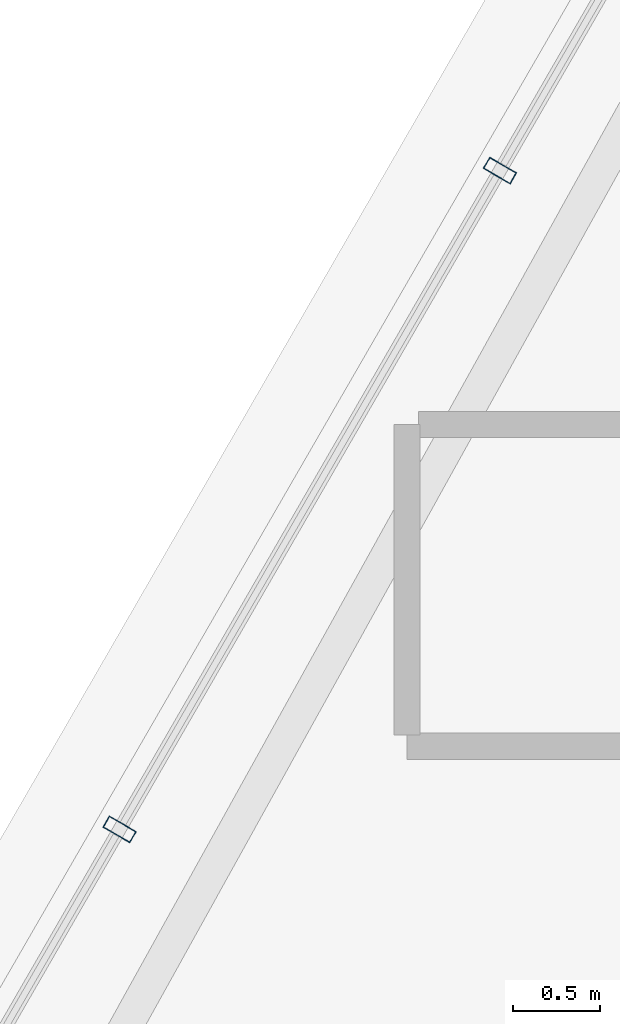
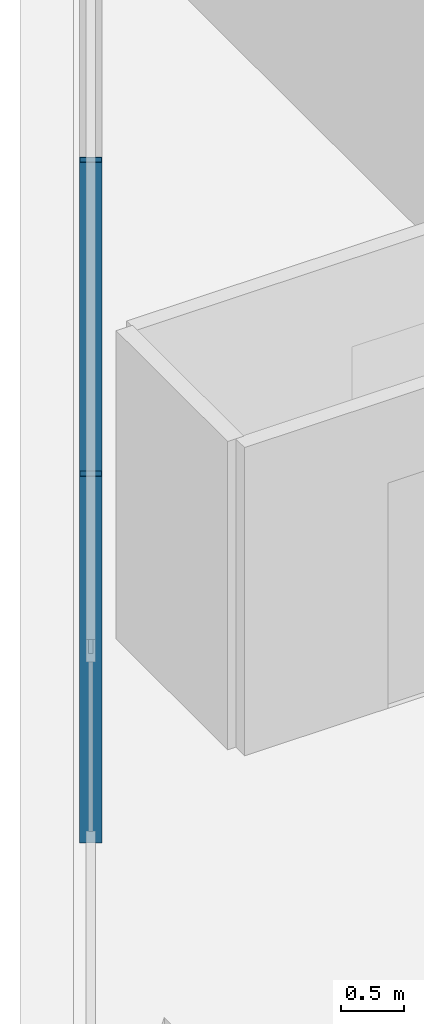
# One storey, part 4 of 29: 2 members, 1 element without a shape of its own.
"""IFC4 building model written with IfcOpenShell, lengths in metres."""

from ifc_helpers import new_model, si_unit, direction, frame, origin, origin_2d, place, context, subcontext, project, spatial, hollow_rectangle, extrude, material, layer, layer_set, material_profile, profile_set, type_object, element, aggregate, save


model = new_model("IFC4")

# Units and contexts
model_context = context("Model", 3, precision=1e-05, world=origin(), true_north=direction((0.0, 1.0)))
body_context = subcontext(model_context, "Body", "Model", "MODEL_VIEW")
ifc_project = project(units=[si_unit("LENGTHUNIT", "METRE"), si_unit("AREAUNIT", "SQUARE_METRE"), si_unit("VOLUMEUNIT", "CUBIC_METRE"), si_unit("PLANEANGLEUNIT", "RADIAN"), si_unit("MASSUNIT", "GRAM", prefix="KILO")], contexts=[model_context])

# Site, building, storey
site_placement = place(None, origin())
site = spatial("IfcSite", under=ifc_project, at=site_placement, CompositionType="ELEMENT")
building_placement = place(site_placement, origin())
building = spatial("IfcBuilding", under=site, at=building_placement, Name="Ndaravel Arena Tower", CompositionType="ELEMENT")
storey_placement = place(building_placement, frame((0.0, 0.0, 240.800048828125)))
storey = spatial("IfcBuildingStorey", under=building, at=storey_placement, Name="L58", CompositionType="ELEMENT", Elevation=240.800048828125)

# Curtain wall, members
ifc_material_1 = material(Name="Aluminium", Category="aluminium")
ifc_layer = layer(ifc_material_1, 0.179931640625)
ifc_layer_set = layer_set([ifc_layer], Name="Aluminium")
curtain_wall_type = type_object("IfcCurtainWallType", Name="CW-SYS-03", PredefinedType="NOTDEFINED", material=ifc_layer_set)
curtain_wall_placement = place(storey_placement, origin())
curtain_wall = element("IfcCurtainWall", 1, at=curtain_wall_placement, inside=storey, type_object=curtain_wall_type, Name="L58 Faceted Crystal Curtain Wall CW-L58-E05", PredefinedType="NOTDEFINED")
ifc_material_2 = material(Name="Aluminium", Category="aluminium")
ifc_material_profile = material_profile(ifc_material_2, hollow_rectangle(XDim=0.074951171875, YDim=0.179931640625, WallThickness=0.00390625, at=origin_2d()), Name="CW MULLION 75x180x4")
ifc_profile_set = profile_set([ifc_material_profile], Name="Aluminium")
member_type = type_object("IfcMemberType", Name="MEM-CW-MUL180", PredefinedType="MULLION", material=ifc_profile_set)
member_1_placement = place(storey_placement, frame((23.38037109375, 18.46142578125, 0.0), z_axis=(0.0, 0.0, 1.0), x_axis=(-0.5, -0.866025403784, 0.0)))
member_1 = element("IfcMember", 2, at=member_1_placement, type_object=member_type, Name="CW-L58-E05 Mullion 07", PredefinedType="MULLION", context=body_context, shape_type="SweptSolid", body=[
    extrude(hollow_rectangle(XDim=0.074951171875, YDim=0.179931640625, WallThickness=0.00390625, at=origin_2d()), origin(), (0.0, 0.0, 1.0), 3.579833984375),
])
member_2_placement = place(storey_placement, frame((21.1923828125, 14.671630859375, 0.0), z_axis=(0.0, 0.0, 1.0), x_axis=(-0.5, -0.866025403784, 0.0)))
member_2 = element("IfcMember", 3, at=member_2_placement, type_object=member_type, Name="CW-L58-E05 Mullion 08", PredefinedType="MULLION", context=body_context, shape_type="SweptSolid", body=[
    extrude(hollow_rectangle(XDim=0.074951171875, YDim=0.179931640625, WallThickness=0.00390625, at=origin_2d()), origin(), (0.0, 0.0, 1.0), 3.579833984375),
])
aggregate(curtain_wall, [member_1, member_2])

save(model, "model.ifc")
